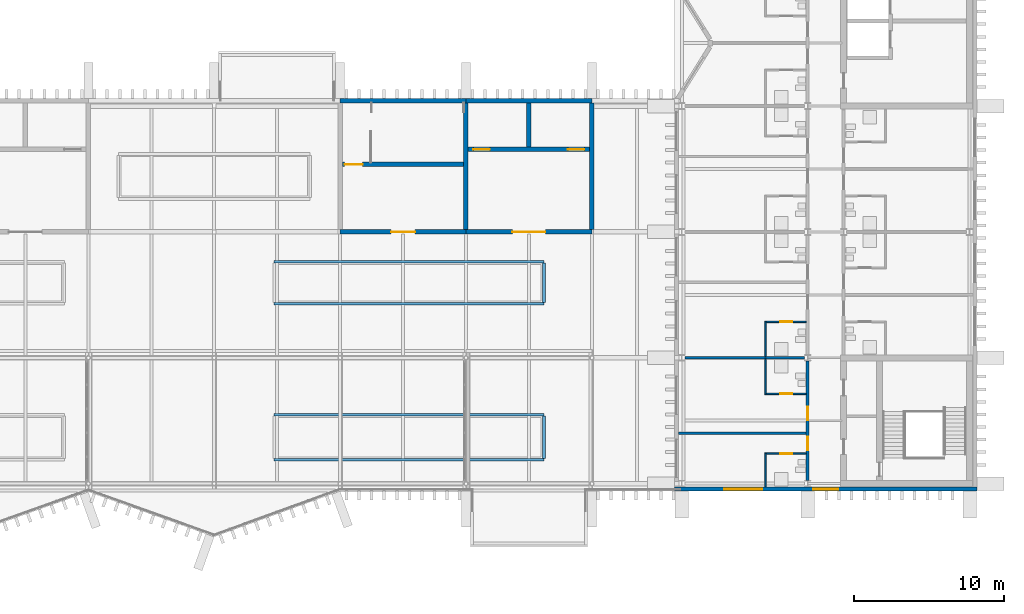
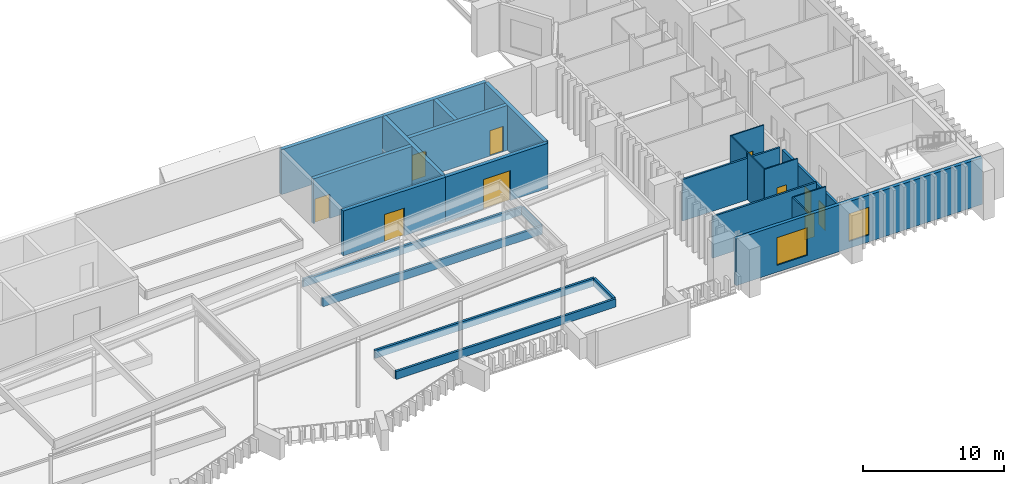
# One storey, part 37 of 51: 25 walls, 10 doors, 2 windows, 12 openings.
"""IFC4 building model written with IfcOpenShell, lengths in metres."""

from ifc_helpers import new_model, si_unit, direction, frame, frame_2d, origin, place, context, subcontext, project, spatial, rectangle, extrude, material, layer, layer_set, type_object, element, fill, save


model = new_model("IFC4")

# Units and contexts
model_context = context("Model", 3, precision=1e-05, world=origin(), true_north=direction((0.0, 1.0)))
body_context = subcontext(model_context, "Body", "Model", "MODEL_VIEW")
ifc_project = project(units=[si_unit("LENGTHUNIT", "METRE"), si_unit("AREAUNIT", "SQUARE_METRE"), si_unit("VOLUMEUNIT", "CUBIC_METRE"), si_unit("PLANEANGLEUNIT", "RADIAN"), si_unit("MASSUNIT", "GRAM", prefix="KILO")], contexts=[model_context])

# Site, building, storey
site_placement = place(None, origin())
site = spatial("IfcSite", under=ifc_project, at=site_placement, CompositionType="ELEMENT")
building_placement = place(site_placement, origin())
building = spatial("IfcBuilding", under=site, at=building_placement, Name="Cresset Court Congress Hotel", CompositionType="ELEMENT")
storey_placement = place(building_placement, frame((0.0, 0.0, 18.60009765625)))
storey = spatial("IfcBuildingStorey", under=building, at=storey_placement, Name="L04", CompositionType="ELEMENT", Elevation=18.60009765625)

# Walls
ifc_material_1 = material(Name="Concrete C50", Category="concrete")
ifc_layer_1 = layer(ifc_material_1, 0.300048828125)
ifc_layer_set_1 = layer_set([ifc_layer_1], Name="Core wall 300 Concrete C50")
wall_type_1 = type_object("IfcWallType", Name="Core wall 300 Concrete C50", PredefinedType="SHEAR", material=ifc_layer_set_1)
for number, where, z_axis, x_axis, name in (
    (1, (142.800048828125, 16.949951171875, 0.0), (0.0, 0.0, 1.0), (0.0, 1.0, 0.0), "Core wall LC-B3"),
    (2, (151.199951171875, 16.949951171875, 0.0), (0.0, 0.0, 1.0), (0.0, 1.0, 0.0), "Core wall LC-B3"),
):
    element("IfcWall", number, at=place(storey_placement, frame(where, z_axis=z_axis, x_axis=x_axis)), inside=storey, type_object=wall_type_1, Name=name, PredefinedType="SHEAR", context=body_context, shape_type="SweptSolid", body=[
        extrude(rectangle(XDim=8.449951171875, YDim=0.300048828125, at=frame_2d((4.22509765625, 0.0))), origin(), (0.0, 0.0, 1.0), 3.889892578125),
    ])

# Wall, opening, door
wall_1_placement = place(storey_placement, frame((142.800048828125, 16.800048828125, 0.0), z_axis=(0.0, 0.0, 1.0), x_axis=(1.0, 0.0, 0.0)))
wall_1 = element("IfcWall", 3, at=wall_1_placement, inside=storey, type_object=wall_type_1, Name="Core wall LC-B3", PredefinedType="SHEAR", context=body_context, shape_type="SweptSolid", body=[
    extrude(rectangle(XDim=8.39990234375, YDim=0.300048828125, at=frame_2d((4.199951171875, 0.0))), origin(), (0.0, 0.0, 1.0), 3.889892578125),
])
opening_1_placement = place(wall_1_placement, frame((3.10009765625, 0.0, 0.0)))
opening_1 = element("IfcOpeningElement", 4, at=opening_1_placement, cuts=wall_1, Name="Opening DB-04-08", PredefinedType="OPENING", context=body_context, shape_type="SweptSolid", body=[
    extrude(rectangle(XDim=2.199951171875, YDim=2.60009765625, at=frame_2d((1.10009765625, 1.300048828125))), frame((0.0, 0.159912109375, 0.0), z_axis=(0.0, -1.0, 0.0), x_axis=(1.0, 0.0, 0.0)), (0.0, 0.0, 1.0), 0.320068359375),
])
ifc_material_2 = material(Name="Aluminium frame with toughened glass", Category="aluminium")
door_type_1 = type_object("IfcDoorType", Name="Lift head glazed door 2200x2600", OperationType="DOUBLE_DOOR_SINGLE_SWING", PredefinedType="DOOR", material=ifc_material_2)
door_1_placement = place(opening_1_placement, origin())
door_1 = element("IfcDoor", 5, at=door_1_placement, inside=storey, type_object=door_type_1, Name="Roof door LC-B3", OperationType="DOUBLE_DOOR_SINGLE_SWING", OverallHeight=2.60009765625, OverallWidth=2.199951171875, PredefinedType="DOOR", context=body_context, shape_type="SweptSolid", body=[
    extrude(rectangle(XDim=2.199951171875, YDim=2.60009765625, at=frame_2d((1.10009765625, 1.300048828125))), frame((0.0, 0.02490234375, 0.0), z_axis=(0.0, -1.0, 0.0), x_axis=(1.0, 0.0, 0.0)), (0.0, 0.0, 1.0), 0.050048828125),
])
fill(opening_1, door_1)

# Wall, openings, doors
wall_2_placement = place(storey_placement, frame((142.949951171875, 22.300048828125, 0.0), z_axis=(0.0, 0.0, 1.0), x_axis=(1.0, 0.0, 0.0)))
wall_2 = element("IfcWall", 6, at=wall_2_placement, inside=storey, type_object=wall_type_1, Name="Core wall LC-B3", PredefinedType="SHEAR", context=body_context, shape_type="SweptSolid", body=[
    extrude(rectangle(XDim=8.10009765625, YDim=0.300048828125, at=frame_2d((4.050048828125, 0.0))), origin(), (0.0, 0.0, 1.0), 3.889892578125),
])
opening_2_placement = place(wall_2_placement, frame((0.35009765625, 0.0, 0.0)))
opening_2 = element("IfcOpeningElement", 7, at=opening_2_placement, cuts=wall_2, Name="Opening LD-B3-11", PredefinedType="OPENING", context=body_context, shape_type="SweptSolid", body=[
    extrude(rectangle(XDim=1.10009765625, YDim=2.199951171875, at=frame_2d((0.550048828125, 1.10009765625))), frame((0.0, 0.159912109375, 0.0), z_axis=(0.0, -1.0, 0.0), x_axis=(1.0, 0.0, 0.0)), (0.0, 0.0, 1.0), 0.320068359375),
])
opening_3_placement = place(wall_2_placement, frame((6.64990234375, 0.0, 0.0)))
opening_3 = element("IfcOpeningElement", 8, at=opening_3_placement, cuts=wall_2, Name="Opening LD-B3-12", PredefinedType="OPENING", context=body_context, shape_type="SweptSolid", body=[
    extrude(rectangle(XDim=1.10009765625, YDim=2.199951171875, at=frame_2d((0.550048828125, 1.10009765625))), frame((0.0, 0.159912109375, 0.0), z_axis=(0.0, -1.0, 0.0), x_axis=(1.0, 0.0, 0.0)), (0.0, 0.0, 1.0), 0.320068359375),
])
ifc_material_3 = material(Name="Stainless steel", Category="steel")
door_type_2 = type_object("IfcDoorType", Name="Lift landing door sliding 1100x2200", OperationType="SLIDING_TO_LEFT", PredefinedType="DOOR", material=ifc_material_3)
door_2_placement = place(opening_2_placement, origin())
door_2 = element("IfcDoor", 9, at=door_2_placement, inside=storey, type_object=door_type_2, Name="Lift landing door LD-B3-11", OperationType="SLIDING_TO_LEFT", OverallHeight=2.199951171875, OverallWidth=1.10009765625, PredefinedType="DOOR", context=body_context, shape_type="SweptSolid", body=[
    extrude(rectangle(XDim=1.10009765625, YDim=2.199951171875, at=frame_2d((0.550048828125, 1.10009765625))), frame((0.0, 0.02490234375, 0.0), z_axis=(0.0, -1.0, 0.0), x_axis=(1.0, 0.0, 0.0)), (0.0, 0.0, 1.0), 0.050048828125),
])
fill(opening_2, door_2)
door_3_placement = place(opening_3_placement, origin())
door_3 = element("IfcDoor", 10, at=door_3_placement, inside=storey, type_object=door_type_2, Name="Lift landing door LD-B3-12", OperationType="SLIDING_TO_LEFT", OverallHeight=2.199951171875, OverallWidth=1.10009765625, PredefinedType="DOOR", context=body_context, shape_type="SweptSolid", body=[
    extrude(rectangle(XDim=1.10009765625, YDim=2.199951171875, at=frame_2d((0.550048828125, 1.10009765625))), frame((0.0, 0.02490234375, 0.0), z_axis=(0.0, -1.0, 0.0), x_axis=(1.0, 0.0, 0.0)), (0.0, 0.0, 1.0), 0.050048828125),
])
fill(opening_3, door_3)

# Wall
wall_3_placement = place(storey_placement, frame((147.0, 22.449951171875, 0.0), z_axis=(0.0, 0.0, 1.0), x_axis=(0.0, 1.0, 0.0)))
element("IfcWall", 11, at=wall_3_placement, inside=storey, type_object=wall_type_1, Name="Core wall LC-B3", PredefinedType="SHEAR", context=body_context, shape_type="SweptSolid", body=[
    extrude(rectangle(XDim=2.949951171875, YDim=0.300048828125, at=frame_2d((1.47509765625, 0.0))), origin(), (0.0, 0.0, 1.0), 3.889892578125),
])

# Wall, opening, door
wall_4_placement = place(storey_placement, frame((134.39990234375, 16.800048828125, 0.0), z_axis=(0.0, 0.0, 1.0), x_axis=(1.0, 0.0, 0.0)))
wall_4 = element("IfcWall", 12, at=wall_4_placement, inside=storey, type_object=wall_type_1, Name="Core wall ST-B5", PredefinedType="SHEAR", context=body_context, shape_type="SweptSolid", body=[
    extrude(rectangle(XDim=8.400146484375, YDim=0.300048828125, at=frame_2d((4.2001953125, 0.0))), origin(), (0.0, 0.0, 1.0), 3.889892578125),
])
opening_4_placement = place(wall_4_placement, frame((3.39990234375, 0.0, 0.0)))
opening_4 = element("IfcOpeningElement", 13, at=opening_4_placement, cuts=wall_4, Name="Opening DB-04-20", PredefinedType="OPENING", context=body_context, shape_type="SweptSolid", body=[
    extrude(rectangle(XDim=1.60009765625, YDim=2.39990234375, at=frame_2d((0.800048828125, 1.199951171875))), frame((0.0, 0.159912109375, 0.0), z_axis=(0.0, -1.0, 0.0), x_axis=(1.0, 0.0, 0.0)), (0.0, 0.0, 1.0), 0.320068359375),
])
ifc_material_4 = material(Name="Timber and steel frame", Category="steel")
door_type_3 = type_object("IfcDoorType", Name="Roof exit double door FD60 1600x2400", OperationType="DOUBLE_DOOR_SINGLE_SWING", PredefinedType="DOOR", material=ifc_material_4)
door_4_placement = place(opening_4_placement, origin())
door_4 = element("IfcDoor", 14, at=door_4_placement, inside=storey, type_object=door_type_3, Name="Roof door ST-B5", OperationType="DOUBLE_DOOR_SINGLE_SWING", OverallHeight=2.39990234375, OverallWidth=1.60009765625, PredefinedType="DOOR", context=body_context, shape_type="SweptSolid", body=[
    extrude(rectangle(XDim=1.60009765625, YDim=2.39990234375, at=frame_2d((0.800048828125, 1.199951171875))), frame((0.0, 0.02490234375, 0.0), z_axis=(0.0, -1.0, 0.0), x_axis=(1.0, 0.0, 0.0)), (0.0, 0.0, 1.0), 0.050048828125),
])
fill(opening_4, door_4)

wall_5_placement = place(storey_placement, frame((134.550048828125, 21.300048828125, 0.0), z_axis=(0.0, 0.0, 1.0), x_axis=(1.0, 0.0, 0.0)))
wall_5 = element("IfcWall", 15, at=wall_5_placement, inside=storey, type_object=wall_type_1, Name="Core wall ST-B5", PredefinedType="SHEAR", context=body_context, shape_type="SweptSolid", body=[
    extrude(rectangle(XDim=8.099853515625, YDim=0.300048828125, at=frame_2d((4.0498046875, 0.0))), origin(), (0.0, 0.0, 1.0), 3.889892578125),
])
opening_5_placement = place(wall_5_placement, frame((0.14990234375, 0.0, 0.0)))
opening_5 = element("IfcOpeningElement", 16, at=opening_5_placement, cuts=wall_5, Name="Opening DB-04-19", PredefinedType="OPENING", context=body_context, shape_type="SweptSolid", body=[
    extrude(rectangle(XDim=1.199951171875, YDim=2.10009765625, at=frame_2d((0.60009765625, 1.050048828125))), frame((0.0, 0.159912109375, 0.0), z_axis=(0.0, -1.0, 0.0), x_axis=(1.0, 0.0, 0.0)), (0.0, 0.0, 1.0), 0.320068359375),
])
ifc_material_5 = material(Name="Timber and steel frame", Category="steel")
door_type_4 = type_object("IfcDoorType", Name="Stair fire door FD60 1200x2100", OperationType="SINGLE_SWING_LEFT", PredefinedType="DOOR", material=ifc_material_5)
door_5_placement = place(opening_5_placement, origin())
door_5 = element("IfcDoor", 17, at=door_5_placement, inside=storey, type_object=door_type_4, Name="Stair door ST-B5", OperationType="SINGLE_SWING_LEFT", OverallHeight=2.10009765625, OverallWidth=1.199951171875, PredefinedType="DOOR", context=body_context, shape_type="SweptSolid", body=[
    extrude(rectangle(XDim=1.199951171875, YDim=2.10009765625, at=frame_2d((0.60009765625, 1.050048828125))), frame((0.0, 0.02490234375, 0.0), z_axis=(0.0, -1.0, 0.0), x_axis=(1.0, 0.0, 0.0)), (0.0, 0.0, 1.0), 0.050048828125),
])
fill(opening_5, door_5)

# Walls
ifc_material_6 = material(Name="Concrete C50", Category="concrete")
ifc_layer_2 = layer(ifc_material_6, 0.300048828125)
ifc_layer_set_2 = layer_set([ifc_layer_2], Name="Core wall 300 Concrete C50 external")
wall_type_2 = type_object("IfcWallType", Name="Core wall 300 Concrete C50 external", PredefinedType="SHEAR", material=ifc_layer_set_2)
wall_6_placement = place(storey_placement, frame((142.800048828125, 25.550048828125, 0.0), z_axis=(0.0, 0.0, 1.0), x_axis=(1.0, 0.0, 0.0)))
element("IfcWall", 18, at=wall_6_placement, inside=storey, type_object=wall_type_2, Name="Core wall LC-B3", PredefinedType="SHEAR", context=body_context, shape_type="SweptSolid", body=[
    extrude(rectangle(XDim=8.39990234375, YDim=0.300048828125, at=frame_2d((4.199951171875, 0.0))), origin(), (0.0, 0.0, 1.0), 3.889892578125),
])
wall_7_placement = place(storey_placement, frame((134.39990234375, 25.550048828125, 0.0), z_axis=(0.0, 0.0, 1.0), x_axis=(1.0, 0.0, 0.0)))
element("IfcWall", 19, at=wall_7_placement, inside=storey, type_object=wall_type_2, Name="Core wall ST-B5", PredefinedType="SHEAR", context=body_context, shape_type="SweptSolid", body=[
    extrude(rectangle(XDim=8.400146484375, YDim=0.300048828125, at=frame_2d((4.2001953125, 0.0))), origin(), (0.0, 0.0, 1.0), 3.889892578125),
])

# Wall, openings, doors
ifc_material_7 = material(Name="Gypsum board partition")
ifc_layer_3 = layer(ifc_material_7, 0.199951171875)
ifc_layer_set_3 = layer_set([ifc_layer_3], Name="Corridor wall 200")
wall_type_3 = type_object("IfcWallType", Name="Corridor wall 200", PredefinedType="PARTITIONING", material=ifc_layer_set_3)
wall_8_placement = place(storey_placement, frame((165.60009765625, 0.20703125, 0.0), z_axis=(0.0, 0.0, 1.0), x_axis=(0.0, 1.0, 0.0)))
wall_8 = element("IfcWall", 20, at=wall_8_placement, inside=storey, type_object=wall_type_3, Name="A.wl.L04.070", PredefinedType="PARTITIONING", context=body_context, shape_type="SweptSolid", body=[
    extrude(rectangle(XDim=7.986083984375, YDim=0.199951171875, at=frame_2d((3.9931640625, 0.0))), origin(), (0.0, 0.0, 1.0), 3.449951171875),
])
opening_6_placement = place(wall_8_placement, frame((2.02294921875, 0.0, 0.0)))
opening_6 = element("IfcOpeningElement", 21, at=opening_6_placement, cuts=wall_8, Name="Opening DA-04-02", PredefinedType="OPENING", context=body_context, shape_type="SweptSolid", body=[
    extrude(rectangle(XDim=0.89990234375, YDim=2.10009765625, at=frame_2d((0.449951171875, 1.050048828125))), frame((0.0, 0.10986328125, 0.0), z_axis=(0.0, -1.0, 0.0), x_axis=(1.0, 0.0, 0.0)), (0.0, 0.0, 1.0), 0.219970703125),
])
opening_7_placement = place(wall_8_placement, frame((4.02294921875, 0.0, 0.0)))
opening_7 = element("IfcOpeningElement", 22, at=opening_7_placement, cuts=wall_8, Name="Opening DA-04-04", PredefinedType="OPENING", context=body_context, shape_type="SweptSolid", body=[
    extrude(rectangle(XDim=0.89990234375, YDim=2.10009765625, at=frame_2d((0.449951171875, 1.050048828125))), frame((0.0, 0.10986328125, 0.0), z_axis=(0.0, -1.0, 0.0), x_axis=(1.0, 0.0, 0.0)), (0.0, 0.0, 1.0), 0.219970703125),
])
ifc_material_8 = material(Name="timber", Category="wood")
door_type_5 = type_object("IfcDoorType", Name="Guest-room entry door 900x2100 FD30S", OperationType="SINGLE_SWING_LEFT", PredefinedType="DOOR", material=ifc_material_8)
door_6_placement = place(opening_6_placement, origin())
door_6 = element("IfcDoor", 23, at=door_6_placement, inside=storey, type_object=door_type_5, Name="Door DA-04-02", OperationType="SINGLE_SWING_RIGHT", OverallHeight=2.10009765625, OverallWidth=0.89990234375, PredefinedType="DOOR", context=body_context, shape_type="SweptSolid", body=[
    extrude(rectangle(XDim=0.89990234375, YDim=2.10009765625, at=frame_2d((0.449951171875, 1.050048828125))), frame((0.0, 0.02490234375, 0.0), z_axis=(0.0, -1.0, 0.0), x_axis=(1.0, 0.0, 0.0)), (0.0, 0.0, 1.0), 0.050048828125),
])
fill(opening_6, door_6)
door_7_placement = place(opening_7_placement, origin())
door_7 = element("IfcDoor", 24, at=door_7_placement, inside=storey, type_object=door_type_5, Name="Door DA-04-04", OperationType="SINGLE_SWING_LEFT", OverallHeight=2.10009765625, OverallWidth=0.89990234375, PredefinedType="DOOR", context=body_context, shape_type="SweptSolid", body=[
    extrude(rectangle(XDim=0.89990234375, YDim=2.10009765625, at=frame_2d((0.449951171875, 1.050048828125))), frame((0.0, 0.02490234375, 0.0), z_axis=(0.0, -1.0, 0.0), x_axis=(1.0, 0.0, 0.0)), (0.0, 0.0, 1.0), 0.050048828125),
])
fill(opening_7, door_7)

# Wall
ifc_material_9 = material(Name="Gypsum board partition")
ifc_layer_4 = layer(ifc_material_9, 0.10009765625)
ifc_layer_set_4 = layer_set([ifc_layer_4], Name="En-suite wall 100")
wall_type_4 = type_object("IfcWallType", Name="En-suite wall 100", PredefinedType="PARTITIONING", material=ifc_layer_set_4)
wall_9_placement = place(storey_placement, frame((162.800048828125, -0.219970703125, 0.0), z_axis=(0.0, 0.0, 1.0), x_axis=(0.0, 1.0, 0.0)))
element("IfcWall", 25, at=wall_9_placement, inside=storey, type_object=wall_type_4, Name="A.wl.L04.001", PredefinedType="PARTITIONING", context=body_context, shape_type="SweptSolid", body=[
    extrude(rectangle(XDim=2.219970703125, YDim=0.10009765625, at=frame_2d((1.10986328125, 0.0))), origin(), (0.0, 0.0, 1.0), 4.0498046875),
])

# Wall, opening, door
wall_10_placement = place(storey_placement, frame((162.75, 2.0, 0.0), z_axis=(0.0, 0.0, 1.0), x_axis=(1.0, 0.0, 0.0)))
wall_10 = element("IfcWall", 26, at=wall_10_placement, inside=storey, type_object=wall_type_4, Name="A.wl.L04.002", PredefinedType="PARTITIONING", context=body_context, shape_type="SweptSolid", body=[
    extrude(rectangle(XDim=2.75, YDim=0.10009765625, at=frame_2d((1.375, 0.0))), origin(), (0.0, 0.0, 1.0), 4.0498046875),
])
opening_8_placement = place(wall_10_placement, frame((1.030029296875, 0.0, 0.0)))
opening_8 = element("IfcOpeningElement", 27, at=opening_8_placement, cuts=wall_10, Name="Opening DA-04-01", PredefinedType="OPENING", context=body_context, shape_type="SweptSolid", body=[
    extrude(rectangle(XDim=0.800048828125, YDim=2.10009765625, at=frame_2d((0.39990234375, 1.050048828125))), frame((0.0, 0.06005859375, 0.0), z_axis=(0.0, -1.0, 0.0), x_axis=(1.0, 0.0, 0.0)), (0.0, 0.0, 1.0), 0.1201171875),
])
ifc_material_10 = material(Name="timber", Category="wood")
door_type_6 = type_object("IfcDoorType", Name="En-suite door 800x2100", OperationType="SINGLE_SWING_LEFT", PredefinedType="DOOR", material=ifc_material_10)
door_8_placement = place(opening_8_placement, origin())
door_8 = element("IfcDoor", 28, at=door_8_placement, inside=storey, type_object=door_type_6, Name="Door DA-04-01", OperationType="SINGLE_SWING_RIGHT", OverallHeight=2.10009765625, OverallWidth=0.800048828125, PredefinedType="DOOR", context=body_context, shape_type="SweptSolid", body=[
    extrude(rectangle(XDim=0.800048828125, YDim=2.10009765625, at=frame_2d((0.39990234375, 1.050048828125))), frame((0.0, 0.02490234375, 0.0), z_axis=(0.0, -1.0, 0.0), x_axis=(1.0, 0.0, 0.0)), (0.0, 0.0, 1.0), 0.050048828125),
])
fill(opening_8, door_8)

# Wall
wall_11_placement = place(storey_placement, frame((162.800048828125, 6.0, 0.0), z_axis=(0.0, 0.0, 1.0), x_axis=(0.0, 1.0, 0.0)))
element("IfcWall", 29, at=wall_11_placement, inside=storey, type_object=wall_type_4, Name="A.wl.L04.003", PredefinedType="PARTITIONING", context=body_context, shape_type="SweptSolid", body=[
    extrude(rectangle(XDim=2.324951171875, YDim=0.10009765625, at=frame_2d((1.16259765625, 0.0))), origin(), (0.0, 0.0, 1.0), 4.0498046875),
])

# Wall, opening, door
wall_12_placement = place(storey_placement, frame((162.75, 6.0, 0.0), z_axis=(0.0, 0.0, 1.0), x_axis=(1.0, 0.0, 0.0)))
wall_12 = element("IfcWall", 30, at=wall_12_placement, inside=storey, type_object=wall_type_4, Name="A.wl.L04.004", PredefinedType="PARTITIONING", context=body_context, shape_type="SweptSolid", body=[
    extrude(rectangle(XDim=2.75, YDim=0.10009765625, at=frame_2d((1.375, 0.0))), origin(), (0.0, 0.0, 1.0), 4.0498046875),
])
opening_9_placement = place(wall_12_placement, frame((1.030029296875, 0.0, 0.0)))
opening_9 = element("IfcOpeningElement", 31, at=opening_9_placement, cuts=wall_12, Name="Opening DA-04-03", PredefinedType="OPENING", context=body_context, shape_type="SweptSolid", body=[
    extrude(rectangle(XDim=0.800048828125, YDim=2.10009765625, at=frame_2d((0.39990234375, 1.050048828125))), frame((0.0, 0.06005859375, 0.0), z_axis=(0.0, -1.0, 0.0), x_axis=(1.0, 0.0, 0.0)), (0.0, 0.0, 1.0), 0.1201171875),
])
door_9_placement = place(opening_9_placement, origin())
door_9 = element("IfcDoor", 32, at=door_9_placement, inside=storey, type_object=door_type_6, Name="Door DA-04-03", OperationType="SINGLE_SWING_LEFT", OverallHeight=2.10009765625, OverallWidth=0.800048828125, PredefinedType="DOOR", context=body_context, shape_type="SweptSolid", body=[
    extrude(rectangle(XDim=0.800048828125, YDim=2.10009765625, at=frame_2d((0.39990234375, 1.050048828125))), frame((0.0, 0.02490234375, 0.0), z_axis=(0.0, -1.0, 0.0), x_axis=(1.0, 0.0, 0.0)), (0.0, 0.0, 1.0), 0.050048828125),
])
fill(opening_9, door_9)

# Wall
wall_13_placement = place(storey_placement, frame((162.800048828125, 8.47509765625, 0.0), z_axis=(0.0, 0.0, 1.0), x_axis=(0.0, 1.0, 0.0)))
element("IfcWall", 33, at=wall_13_placement, inside=storey, type_object=wall_type_4, Name="A.wl.L04.005", PredefinedType="PARTITIONING", context=body_context, shape_type="SweptSolid", body=[
    extrude(rectangle(XDim=2.324951171875, YDim=0.10009765625, at=frame_2d((1.16259765625, 0.0))), origin(), (0.0, 0.0, 1.0), 4.0498046875),
])

# Wall, opening, door
wall_14_placement = place(storey_placement, frame((162.75, 10.800048828125, 0.0), z_axis=(0.0, 0.0, 1.0), x_axis=(1.0, 0.0, 0.0)))
wall_14 = element("IfcWall", 34, at=wall_14_placement, inside=storey, type_object=wall_type_4, Name="A.wl.L04.006", PredefinedType="PARTITIONING", context=body_context, shape_type="SweptSolid", body=[
    extrude(rectangle(XDim=2.75, YDim=0.10009765625, at=frame_2d((1.375, 0.0))), origin(), (0.0, 0.0, 1.0), 4.0498046875),
])
opening_10_placement = place(wall_14_placement, frame((1.030029296875, 0.0, 0.0)))
opening_10 = element("IfcOpeningElement", 35, at=opening_10_placement, cuts=wall_14, Name="Opening DA-04-05", PredefinedType="OPENING", context=body_context, shape_type="SweptSolid", body=[
    extrude(rectangle(XDim=0.800048828125, YDim=2.10009765625, at=frame_2d((0.39990234375, 1.050048828125))), frame((0.0, 0.06005859375, 0.0), z_axis=(0.0, -1.0, 0.0), x_axis=(1.0, 0.0, 0.0)), (0.0, 0.0, 1.0), 0.1201171875),
])
door_10_placement = place(opening_10_placement, origin())
door_10 = element("IfcDoor", 36, at=door_10_placement, inside=storey, type_object=door_type_6, Name="Door DA-04-05", OperationType="SINGLE_SWING_RIGHT", OverallHeight=2.10009765625, OverallWidth=0.800048828125, PredefinedType="DOOR", context=body_context, shape_type="SweptSolid", body=[
    extrude(rectangle(XDim=0.800048828125, YDim=2.10009765625, at=frame_2d((0.39990234375, 1.050048828125))), frame((0.0, 0.02490234375, 0.0), z_axis=(0.0, -1.0, 0.0), x_axis=(1.0, 0.0, 0.0)), (0.0, 0.0, 1.0), 0.050048828125),
])
fill(opening_10, door_10)

# Wall, openings, windows
ifc_material_11 = material(Name="Precast concrete C50", Category="concrete")
ifc_layer_5 = layer(ifc_material_11, 0.280029296875)
ifc_layer_set_5 = layer_set([ifc_layer_5], Name="Gable end wall 280")
wall_type_5 = type_object("IfcWallType", Name="Gable end wall 280", PredefinedType="SOLIDWALL", material=ifc_layer_set_5)
wall_15_placement = place(storey_placement, frame((156.699951171875, -0.360107421875, 0.0), z_axis=(0.0, 0.0, 1.0), x_axis=(1.0, 0.0, 0.0)))
wall_15 = element("IfcWall", 37, at=wall_15_placement, inside=storey, type_object=wall_type_5, Name="A.ew.L04.S.1", PredefinedType="SOLIDWALL", context=body_context, shape_type="SweptSolid", body=[
    extrude(rectangle(XDim=20.199951171875, YDim=0.280029296875, at=frame_2d((10.10009765625, 0.0))), origin(), (0.0, 0.0, 1.0), 4.0498046875),
])
opening_11_placement = place(wall_15_placement, frame((9.260009765625, 0.0, 0.60009765625)))
opening_11 = element("IfcOpeningElement", 38, at=opening_11_placement, cuts=wall_15, Name="Opening NA-04-25", PredefinedType="OPENING", context=body_context, shape_type="SweptSolid", body=[
    extrude(rectangle(XDim=1.679931640625, YDim=2.39990234375, at=frame_2d((0.83984375, 1.199951171875))), frame((0.0, 0.14990234375, 0.0), z_axis=(0.0, -1.0, 0.0), x_axis=(1.0, 0.0, 0.0)), (0.0, 0.0, 1.0), 0.300048828125),
])
opening_12_placement = place(wall_15_placement, frame((3.340087890625, 0.0, 0.60009765625)))
opening_12 = element("IfcOpeningElement", 39, at=opening_12_placement, cuts=wall_15, Name="Opening NA-04-26", PredefinedType="OPENING", context=body_context, shape_type="SweptSolid", body=[
    extrude(rectangle(XDim=2.52001953125, YDim=2.39990234375, at=frame_2d((1.260009765625, 1.199951171875))), frame((0.0, 0.14990234375, 0.0), z_axis=(0.0, -1.0, 0.0), x_axis=(1.0, 0.0, 0.0)), (0.0, 0.0, 1.0), 0.300048828125),
])
ifc_material_12 = material(Name="Aluminium and glass", Category="aluminium")
window_type_1 = type_object("IfcWindowType", Name="Window 1680x2400", PartitioningType="SINGLE_PANEL", PredefinedType="WINDOW", material=ifc_material_12)
window_1_placement = place(opening_11_placement, origin())
window_1 = element("IfcWindow", 40, at=window_1_placement, inside=storey, type_object=window_type_1, Name="Window NA-04-25", OverallHeight=2.39990234375, OverallWidth=1.679931640625, PartitioningType="SINGLE_PANEL", PredefinedType="WINDOW", context=body_context, shape_type="SweptSolid", body=[
    extrude(rectangle(XDim=1.679931640625, YDim=2.39990234375, at=frame_2d((0.83984375, 1.199951171875))), frame((0.0, 0.030029296875, 0.0), z_axis=(0.0, -1.0, 0.0), x_axis=(1.0, 0.0, 0.0)), (0.0, 0.0, 1.0), 0.06005859375),
])
fill(opening_11, window_1)
ifc_material_13 = material(Name="Aluminium and glass", Category="aluminium")
window_type_2 = type_object("IfcWindowType", Name="Window 2520x2400", PartitioningType="SINGLE_PANEL", PredefinedType="WINDOW", material=ifc_material_13)
window_2_placement = place(opening_12_placement, origin())
window_2 = element("IfcWindow", 41, at=window_2_placement, inside=storey, type_object=window_type_2, Name="Window NA-04-26", OverallHeight=2.39990234375, OverallWidth=2.52001953125, PartitioningType="SINGLE_PANEL", PredefinedType="WINDOW", context=body_context, shape_type="SweptSolid", body=[
    extrude(rectangle(XDim=2.52001953125, YDim=2.39990234375, at=frame_2d((1.260009765625, 1.199951171875))), frame((0.0, 0.030029296875, 0.0), z_axis=(0.0, -1.0, 0.0), x_axis=(1.0, 0.0, 0.0)), (0.0, 0.0, 1.0), 0.06005859375),
])
fill(opening_12, window_2)

# Walls
ifc_material_14 = material(Name="Gypsum board partition")
ifc_layer_6 = layer(ifc_material_14, 0.14990234375)
ifc_layer_set_6 = layer_set([ifc_layer_6], Name="Guest-room partition 150")
wall_type_6 = type_object("IfcWallType", Name="Guest-room partition 150", PredefinedType="PARTITIONING", material=ifc_layer_set_6)
wall_16_placement = place(storey_placement, frame((157.402587890625, 8.39990234375, 0.0), z_axis=(0.0, 0.0, 1.0), x_axis=(1.0, 0.0, 0.0)))
element("IfcWall", 42, at=wall_16_placement, inside=storey, type_object=wall_type_6, Name="A.wl.L04.049", PredefinedType="PARTITIONING", context=body_context, shape_type="SweptSolid", body=[
    extrude(rectangle(XDim=7.994873046875, YDim=0.14990234375, at=frame_2d((3.99755859375, 0.0))), origin(), (0.0, 0.0, 1.0), 3.60400390625),
])
wall_17_placement = place(storey_placement, frame((156.97998046875, 3.360107421875, 0.0), z_axis=(0.0, 0.0, 1.0), x_axis=(1.0, 0.0, 0.0)))
element("IfcWall", 43, at=wall_17_placement, inside=storey, type_object=wall_type_6, Name="A.wl.L04.058", PredefinedType="PARTITIONING", context=body_context, shape_type="SweptSolid", body=[
    extrude(rectangle(XDim=8.52001953125, YDim=0.14990234375, at=frame_2d((4.260009765625, 0.0))), origin(), (0.0, 0.0, 1.0), 3.60400390625),
])
ifc_material_15 = material(Name="Concrete C35", Category="concrete")
ifc_layer_7 = layer(ifc_material_15, 0.179931640625)
ifc_layer_set_7 = layer_set([ifc_layer_7], Name="Planter wall 180 Concrete C35")
wall_type_7 = type_object("IfcWallType", Name="Planter wall 180 Concrete C35", PredefinedType="SOLIDWALL", material=ifc_layer_set_7)
for number, where, z_axis, x_axis, name in (
    (44, (130.0, 1.60009765625, 0.0), (0.0, 0.0, 1.0), (1.0, 0.0, 0.0), "Planter wall"),
    (45, (130.0, 4.60009765625, 0.0), (0.0, 0.0, 1.0), (1.0, 0.0, 0.0), "Planter wall"),
):
    element("IfcWall", number, at=place(storey_placement, frame(where, z_axis=z_axis, x_axis=x_axis)), inside=storey, type_object=wall_type_7, Name=name, PredefinedType="SOLIDWALL", context=body_context, shape_type="SweptSolid", body=[
        extrude(rectangle(XDim=18.0, YDim=0.179931640625, at=frame_2d((9.0, 0.0))), origin(), (0.0, 0.0, 1.0), 0.699951171875),
    ])
wall_18_placement = place(storey_placement, frame((148.0, 1.68994140625, 0.0), z_axis=(0.0, 0.0, 1.0), x_axis=(0.0, 1.0, 0.0)))
element("IfcWall", 46, at=wall_18_placement, inside=storey, type_object=wall_type_7, Name="Planter wall", PredefinedType="SOLIDWALL", context=body_context, shape_type="SweptSolid", body=[
    extrude(rectangle(XDim=2.820068359375, YDim=0.179931640625, at=frame_2d((1.41015625, 0.0))), origin(), (0.0, 0.0, 1.0), 0.699951171875),
])
for number, where, z_axis, x_axis, name in (
    (47, (130.0, 12.0, 0.0), (0.0, 0.0, 1.0), (1.0, 0.0, 0.0), "Planter wall"),
    (48, (130.0, 14.800048828125, 0.0), (0.0, 0.0, 1.0), (1.0, 0.0, 0.0), "Planter wall"),
):
    element("IfcWall", number, at=place(storey_placement, frame(where, z_axis=z_axis, x_axis=x_axis)), inside=storey, type_object=wall_type_7, Name=name, PredefinedType="SOLIDWALL", context=body_context, shape_type="SweptSolid", body=[
        extrude(rectangle(XDim=18.0, YDim=0.179931640625, at=frame_2d((9.0, 0.0))), origin(), (0.0, 0.0, 1.0), 0.699951171875),
    ])
wall_19_placement = place(storey_placement, frame((148.0, 12.090087890625, 0.0), z_axis=(0.0, 0.0, 1.0), x_axis=(0.0, 1.0, 0.0)))
element("IfcWall", 49, at=wall_19_placement, inside=storey, type_object=wall_type_7, Name="Planter wall", PredefinedType="SOLIDWALL", context=body_context, shape_type="SweptSolid", body=[
    extrude(rectangle(XDim=2.619873046875, YDim=0.179931640625, at=frame_2d((1.31005859375, 0.0))), origin(), (0.0, 0.0, 1.0), 0.699951171875),
])

save(model, "model.ifc")
